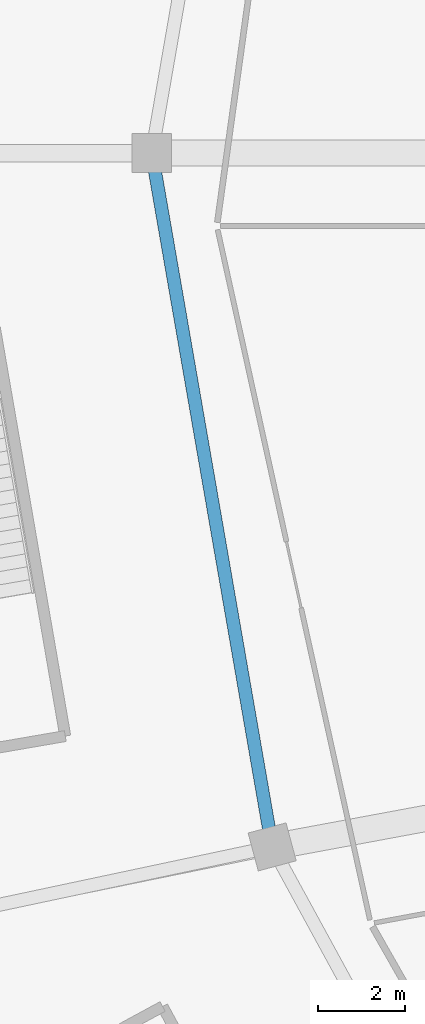
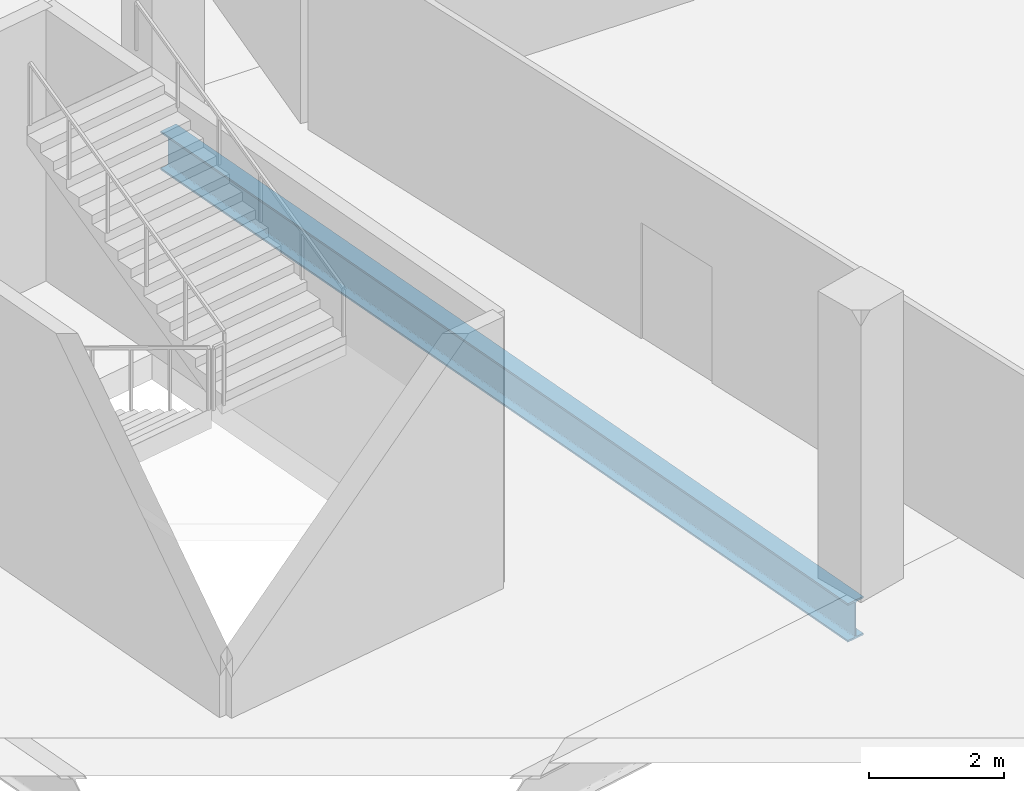
# One storey, part 40 of 178: 1 beam.
"""IFC4 building model written with IfcOpenShell, lengths in metres."""

from ifc_helpers import new_model, si_unit, direction, frame, origin, origin_2d, place, context, subcontext, project, spatial, i_section, extrude, material, material_profile, profile_set, type_object, element, save


model = new_model("IFC4")

# Units and contexts
model_context = context("Model", 3, precision=1e-05, world=origin(), true_north=direction((0.0, 1.0)))
body_context = subcontext(model_context, "Body", "Model", "MODEL_VIEW")
ifc_project = project(units=[si_unit("LENGTHUNIT", "METRE"), si_unit("AREAUNIT", "SQUARE_METRE"), si_unit("VOLUMEUNIT", "CUBIC_METRE"), si_unit("PLANEANGLEUNIT", "RADIAN"), si_unit("MASSUNIT", "GRAM", prefix="KILO")], contexts=[model_context])

# Site, building, storey
site_placement = place(None, origin())
site = spatial("IfcSite", under=ifc_project, at=site_placement, CompositionType="ELEMENT")
building_placement = place(site_placement, origin())
building = spatial("IfcBuilding", under=site, at=building_placement, Name="Zlatoyarsky Gate Stadium", CompositionType="ELEMENT")
storey_placement = place(building_placement, frame((0.0, 0.0, 5.39990234375)))
storey = spatial("IfcBuildingStorey", under=building, at=storey_placement, Name="L01", CompositionType="ELEMENT", Elevation=5.39990234375)

# Beam
ifc_material = material(Name="Steel S355", Category="steel")
ifc_material_profile = material_profile(ifc_material, i_section(OverallWidth=0.300048828125, OverallDepth=0.699951171875, WebThickness=0.01708984375, FlangeThickness=0.031982421875, FilletRadius=0.027099609375, at=origin_2d()), Name="HEB 700")
ifc_profile_set = profile_set([ifc_material_profile], Name="Steel S355")
beam_type = type_object("IfcBeamType", Name="STEEL PRIMARY GIRDER HEB 700", PredefinedType="BEAM", material=ifc_profile_set)
beam_placement = place(storey_placement, frame((30.0205078125, 79.8818359375, -0.809814453125), z_axis=(0.170843315562, -0.985298209441, 0.0), x_axis=(0.985298209441, 0.170843315562, 0.0)))
element("IfcBeam", 1, at=beam_placement, inside=storey, type_object=beam_type, Name="Beam G-HEB700 BM-L01-CRB-12", PredefinedType="BEAM", context=body_context, shape_type="SweptSolid", body=[
    extrude(i_section(OverallWidth=0.300048828125, OverallDepth=0.699951171875, WebThickness=0.01708984375, FlangeThickness=0.031982421875, FilletRadius=0.027099609375, at=origin_2d()), origin(), (0.0, 0.0, 1.0), 15.9150390625),
])

save(model, "model.ifc")
